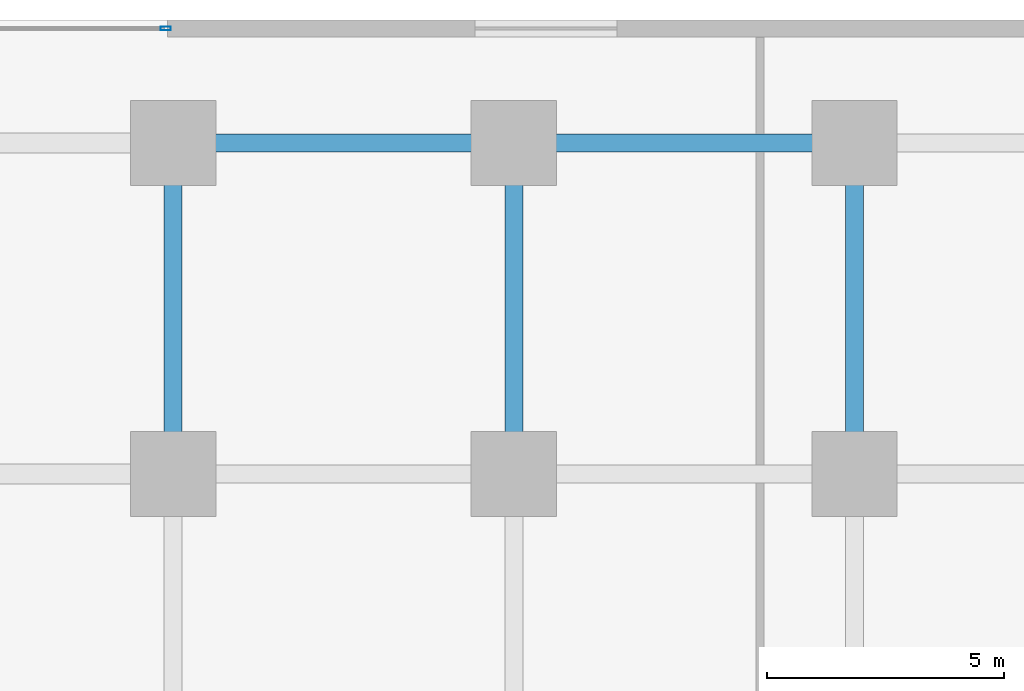
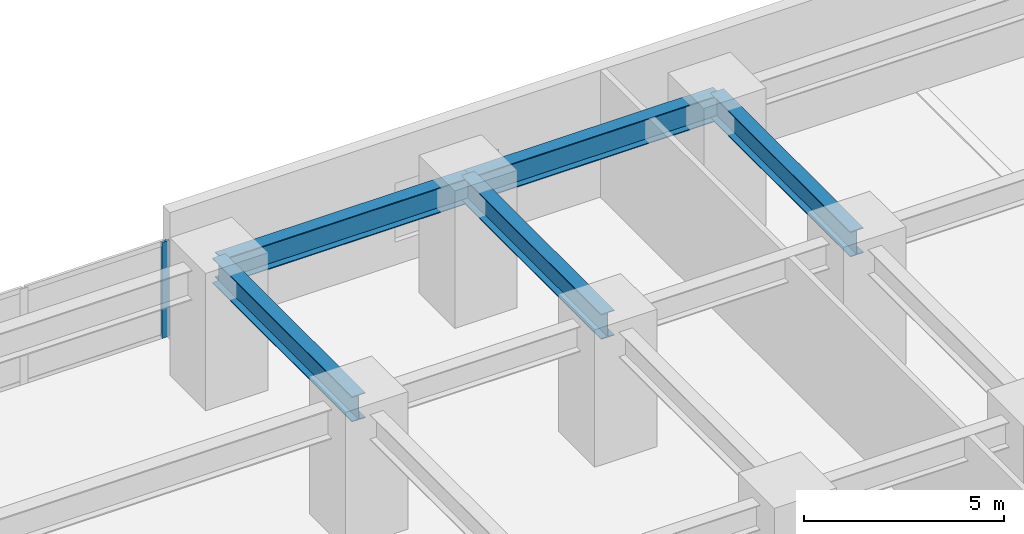
# One storey, part 8 of 22: 5 beams, 1 member, 1 element without a shape of its own.
"""IFC4 building model written with IfcOpenShell, lengths in metres."""

from ifc_helpers import new_model, si_unit, direction, frame, origin, origin_2d, place, context, subcontext, project, spatial, hollow_rectangle, i_section, extrude, material, layer, layer_set, material_profile, profile_set, type_object, element, aggregate, save


model = new_model("IFC4")

# Units and contexts
model_context = context("Model", 3, precision=1e-05, world=origin(), true_north=direction((0.0, 1.0)))
body_context = subcontext(model_context, "Body", "Model", "MODEL_VIEW")
ifc_project = project(units=[si_unit("LENGTHUNIT", "METRE"), si_unit("AREAUNIT", "SQUARE_METRE"), si_unit("VOLUMEUNIT", "CUBIC_METRE"), si_unit("PLANEANGLEUNIT", "RADIAN"), si_unit("MASSUNIT", "GRAM", prefix="KILO")], contexts=[model_context])

# Site, building, storey
site_placement = place(None, origin())
site = spatial("IfcSite", under=ifc_project, at=site_placement, CompositionType="ELEMENT")
building_placement = place(site_placement, origin())
building = spatial("IfcBuilding", under=site, at=building_placement, Name="Kiyonajd Concourse Tower", CompositionType="ELEMENT")
storey_placement = place(building_placement, frame((0.0, 0.0, 4.5)))
storey = spatial("IfcBuildingStorey", under=building, at=storey_placement, Name="L02", CompositionType="ELEMENT", Elevation=4.5)

# Beams
ifc_material_1 = material(Name="Steel ASTM A992 Grade 50", Category="steel")
ifc_material_profile_1 = material_profile(ifc_material_1, i_section(OverallWidth=0.381103515625, OverallDepth=0.77294921875, WebThickness=0.0166015625, FlangeThickness=0.027099609375, at=origin_2d()), Name="W760X257")
ifc_profile_set_1 = profile_set([ifc_material_profile_1], Name="Steel ASTM A992 Grade 50")
beam_type = type_object("IfcBeamType", Name="BM-POD-760", PredefinedType="BEAM", material=ifc_profile_set_1)
beam_1_placement = place(storey_placement, frame((56.39990234375, 69.39990234375, 3.493408203125), z_axis=(1.0, 0.0, 0.0), x_axis=(0.0, 1.0, 0.0)))
element("IfcBeam", 1, at=beam_1_placement, inside=storey, type_object=beam_type, Name="L02 Podium Primary Beam", PredefinedType="BEAM", context=body_context, shape_type="SweptSolid", body=[
    extrude(i_section(OverallWidth=0.381103515625, OverallDepth=0.77294921875, WebThickness=0.0166015625, FlangeThickness=0.027099609375, at=origin_2d()), origin(), (0.0, 0.0, 1.0), 7.2001953125),
])
beam_2_placement = place(storey_placement, frame((63.60009765625, 69.39990234375, 3.493408203125), z_axis=(1.0, 0.0, 0.0), x_axis=(0.0, 1.0, 0.0)))
element("IfcBeam", 2, at=beam_2_placement, inside=storey, type_object=beam_type, Name="L02 Podium Primary Beam", PredefinedType="BEAM", context=body_context, shape_type="SweptSolid", body=[
    extrude(i_section(OverallWidth=0.381103515625, OverallDepth=0.77294921875, WebThickness=0.0166015625, FlangeThickness=0.027099609375, at=origin_2d()), origin(), (0.0, 0.0, 1.0), 7.199951171875),
])
for number, where, z_axis, x_axis, name in (
    (3, (56.39990234375, 62.39990234375, 3.493408203125), (0.0, 1.0, 0.0), (-1.0, 0.0, 0.0), "L02 Podium North South Beam"),
    (4, (63.60009765625, 62.39990234375, 3.493408203125), (0.0, 1.0, 0.0), (-1.0, 0.0, 0.0), "L02 Podium North South Beam"),
    (5, (70.800048828125, 62.39990234375, 3.493408203125), (0.0, 1.0, 0.0), (-1.0, 0.0, 0.0), "L02 Podium North South Beam"),
):
    element("IfcBeam", number, at=place(storey_placement, frame(where, z_axis=z_axis, x_axis=x_axis)), inside=storey, type_object=beam_type, Name=name, PredefinedType="BEAM", context=body_context, shape_type="SweptSolid", body=[
        extrude(i_section(OverallWidth=0.381103515625, OverallDepth=0.77294921875, WebThickness=0.0166015625, FlangeThickness=0.027099609375, at=origin_2d()), origin(), (0.0, 0.0, 1.0), 7.0),
    ])

# Curtain wall, member
ifc_material_2 = material(Name="Thermally Broken Anodised Aluminium", Category="aluminium")
ifc_layer = layer(ifc_material_2, 0.179931640625)
ifc_layer_set = layer_set([ifc_layer], Name="Thermally Broken Anodised Aluminium")
curtain_wall_type = type_object("IfcCurtainWallType", Name="CW-SYS-01", PredefinedType="NOTDEFINED", material=ifc_layer_set)
curtain_wall_placement = place(storey_placement, origin())
curtain_wall = element("IfcCurtainWall", 6, at=curtain_wall_placement, inside=storey, type_object=curtain_wall_type, Name="L02 Unitised Curtain Wall CW1", PredefinedType="NOTDEFINED")
ifc_material_profile_2 = material_profile(ifc_material_2, hollow_rectangle(XDim=0.074951171875, YDim=0.219970703125, WallThickness=0.0048828125, at=origin_2d()), Name="MULL-75x220")
ifc_profile_set_2 = profile_set([ifc_material_profile_2], Name="Thermally Broken Anodised Aluminium")
member_type = type_object("IfcMemberType", Name="MB-CW-MULL2", PredefinedType="MULLION", material=ifc_profile_set_2)
member_placement = place(storey_placement, frame((56.242431640625, 71.820068359375, 0.0), z_axis=(0.0, 0.0, 1.0), x_axis=(0.0, 1.0, 0.0)))
member = element("IfcMember", 7, at=member_placement, type_object=member_type, Name="CW1 mullion 5", PredefinedType="MULLION", context=body_context, shape_type="SweptSolid", body=[
    extrude(hollow_rectangle(XDim=0.074951171875, YDim=0.219970703125, WallThickness=0.0048828125, at=origin_2d()), origin(), (0.0, 0.0, 1.0), 2.929931640625),
])
aggregate(curtain_wall, [member])

save(model, "model.ifc")
